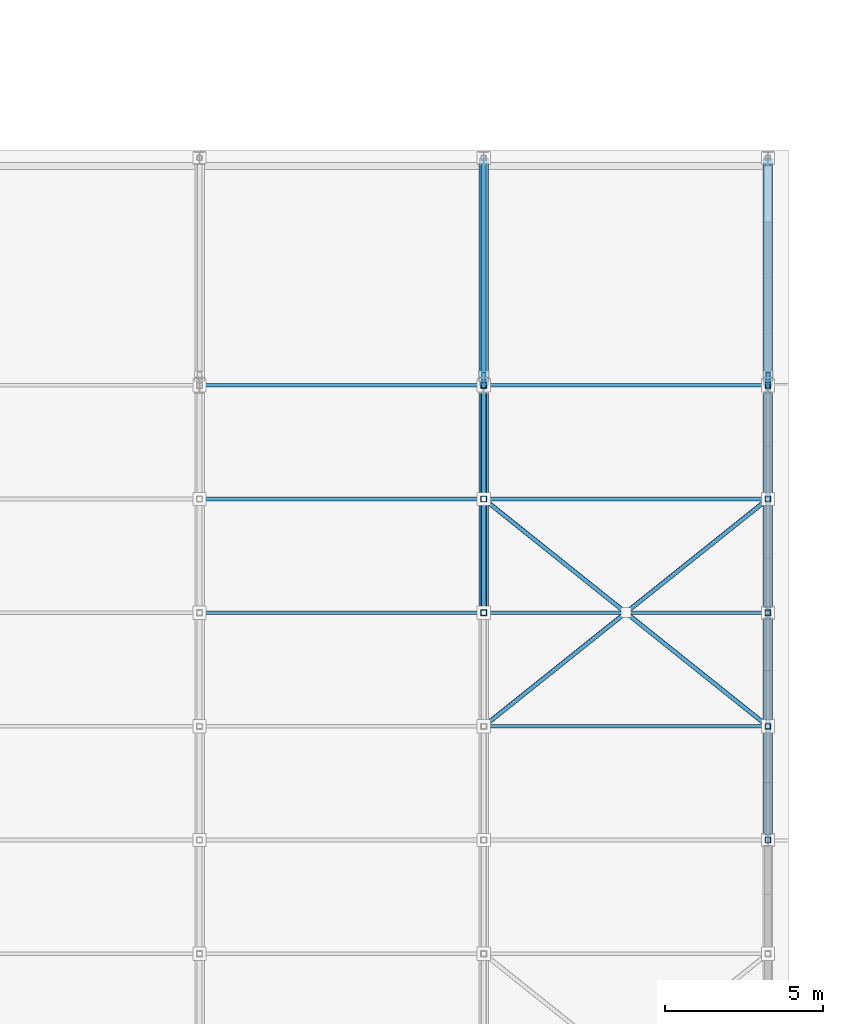
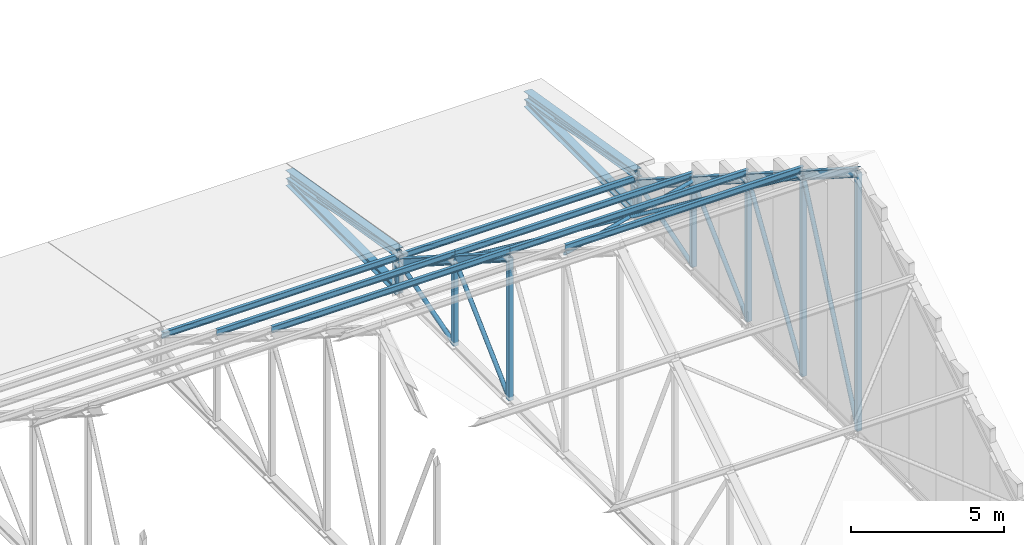
# One storey, part 119 of 182: 38 members.
"""IFC4 building model written with IfcOpenShell, lengths in metres."""

from ifc_helpers import new_model, si_unit, direction, frame, origin, origin_2d, place, context, subcontext, project, spatial, hollow_rectangle, hollow_circle, i_section, extrude, material, material_profile, profile_set, type_object, element, save


model = new_model("IFC4")

# Units and contexts
model_context = context("Model", 3, precision=1e-05, world=origin(), true_north=direction((0.0, 1.0)))
body_context = subcontext(model_context, "Body", "Model", "MODEL_VIEW")
ifc_project = project(units=[si_unit("LENGTHUNIT", "METRE"), si_unit("AREAUNIT", "SQUARE_METRE"), si_unit("VOLUMEUNIT", "CUBIC_METRE"), si_unit("PLANEANGLEUNIT", "RADIAN"), si_unit("MASSUNIT", "GRAM", prefix="KILO")], contexts=[model_context])

# Site, building, storey
site_placement = place(None, origin())
site = spatial("IfcSite", under=ifc_project, at=site_placement, CompositionType="ELEMENT")
building_placement = place(site_placement, origin())
building = spatial("IfcBuilding", under=site, at=building_placement, Name="Chiffa Square Polytechnic", CompositionType="ELEMENT")
storey_placement = place(building_placement, frame((0.0, 0.0, 9.60009765625)))
storey = spatial("IfcBuildingStorey", under=building, at=storey_placement, Name="L02", CompositionType="ELEMENT", Elevation=9.60009765625)

# Members
ifc_material = material(Name="Steel S355", Category="steel")
ifc_material_profile_1 = material_profile(ifc_material, hollow_circle(Radius=0.06982421875, WallThickness=0.008056640625, at=origin_2d()), Name="CHS 139.7x8")
ifc_profile_set_1 = profile_set([ifc_material_profile_1], Name="Steel S355")
member_type_1 = type_object("IfcMemberType", Name="MEM-BRC-CHS140", PredefinedType="BRACE", material=ifc_profile_set_1)
member_1_placement = place(storey_placement, frame((166.199951171875, 76.199951171875, 8.349853515625), z_axis=(0.725245496543, 0.580192462526, -0.370669227441), x_axis=(-0.624692464322, 0.780870876022, 0.0)))
element("IfcMember", 1, at=member_1_placement, inside=storey, type_object=member_type_1, Name="Workshop continuous roof X-brace BR-V2-RF-07N1", PredefinedType="BRACE", context=body_context, shape_type="SweptSolid", body=[
    extrude(hollow_circle(Radius=0.06982421875, WallThickness=0.008056640625, at=origin_2d()), origin(), (0.0, 0.0, 1.0), 12.40966796875),
])
member_2_placement = place(storey_placement, frame((166.199951171875, 83.39990234375, 3.75), z_axis=(0.725259063679, -0.58018364225, 0.370656487623), x_axis=(0.624679547852, 0.780881208953, 0.0)))
element("IfcMember", 2, at=member_2_placement, inside=storey, type_object=member_type_1, Name="Workshop split roof X-brace segment BR-V2-RF-07N2A", PredefinedType="BRACE", context=body_context, shape_type="SweptSolid", body=[
    extrude(hollow_circle(Radius=0.06982421875, WallThickness=0.008056640625, at=origin_2d()), origin(), (0.0, 0.0, 1.0), 6.20458984375),
])
member_3_placement = place(storey_placement, frame((170.699951171875, 79.800048828125, 6.0498046875), z_axis=(0.725231929607, -0.580201282226, 0.370681966625), x_axis=(0.624705380279, 0.780860543151, 0.0)))
element("IfcMember", 3, at=member_3_placement, inside=storey, type_object=member_type_1, Name="Workshop split roof X-brace segment BR-V2-RF-07N2B", PredefinedType="BRACE", context=body_context, shape_type="SweptSolid", body=[
    extrude(hollow_circle(Radius=0.06982421875, WallThickness=0.008056640625, at=origin_2d()), origin(), (0.0, 0.0, 1.0), 6.204833984375),
])
ifc_material_profile_2 = material_profile(ifc_material, i_section(OverallWidth=0.300048828125, OverallDepth=0.31005859375, WebThickness=0.009033203125, FlangeThickness=0.015380859375, FilletRadius=0.027099609375, at=origin_2d()), Name="HEA 320")
ifc_profile_set_2 = profile_set([ifc_material_profile_2], Name="Steel S355")
member_type_2 = type_object("IfcMemberType", Name="MEM-CHORD-HEA320", PredefinedType="CHORD", material=ifc_profile_set_2)
member_4_placement = place(storey_placement, frame((166.199951171875, 79.800048828125, 6.0498046875), z_axis=(0.0, 0.84270706373, -0.538372366248), x_axis=(-1.0, 0.0, 0.0)))
element("IfcMember", 4, at=member_4_placement, inside=storey, type_object=member_type_2, Name="Workshop roof truss top chord TCT-V2-07-07", PredefinedType="CHORD", context=body_context, shape_type="SweptSolid", body=[
    extrude(i_section(OverallWidth=0.300048828125, OverallDepth=0.31005859375, WebThickness=0.009033203125, FlangeThickness=0.015380859375, FilletRadius=0.027099609375, at=origin_2d()), origin(), (0.0, 0.0, 1.0), 4.271728515625),
])
member_5_placement = place(storey_placement, frame((166.199951171875, 83.39990234375, 3.75), z_axis=(0.0, 0.84269770024, -0.538387022512), x_axis=(-1.0, 0.0, 0.0)))
element("IfcMember", 5, at=member_5_placement, inside=storey, type_object=member_type_2, Name="Workshop roof truss top chord TCT-V2-07-08", PredefinedType="CHORD", context=body_context, shape_type="SweptSolid", body=[
    extrude(i_section(OverallWidth=0.300048828125, OverallDepth=0.31005859375, WebThickness=0.009033203125, FlangeThickness=0.015380859375, FilletRadius=0.027099609375, at=origin_2d()), origin(), (0.0, 0.0, 1.0), 4.272216796875),
])
member_6_placement = place(storey_placement, frame((166.199951171875, 87.0, 1.849853515625), z_axis=(0.0, 0.986394827799, -0.164393563414), x_axis=(-1.0, 0.0, 0.0)))
element("IfcMember", 6, at=member_6_placement, inside=storey, type_object=member_type_2, Name="Workshop north shed top chord TCT-V2-SH-07", PredefinedType="CHORD", context=body_context, shape_type="SweptSolid", body=[
    extrude(i_section(OverallWidth=0.300048828125, OverallDepth=0.31005859375, WebThickness=0.009033203125, FlangeThickness=0.015380859375, FilletRadius=0.027099609375, at=origin_2d()), origin(), (0.0, 0.0, 1.0), 7.29931640625),
])
member_7_placement = place(storey_placement, frame((175.199951171875, 72.60009765625, 10.64990234375), z_axis=(0.0, 0.842681134223, -0.538412951205), x_axis=(-1.0, 0.0, 0.0)))
element("IfcMember", 7, at=member_7_placement, inside=storey, type_object=member_type_2, Name="Workshop roof truss top chord TCT-V2-08-05", PredefinedType="CHORD", context=body_context, shape_type="SweptSolid", body=[
    extrude(i_section(OverallWidth=0.300048828125, OverallDepth=0.31005859375, WebThickness=0.009033203125, FlangeThickness=0.015380859375, FilletRadius=0.027099609375, at=origin_2d()), origin(), (0.0, 0.0, 1.0), 4.27197265625),
])
member_8_placement = place(storey_placement, frame((175.199951171875, 76.199951171875, 8.349853515625), z_axis=(0.0, 0.84269770024, -0.538387022512), x_axis=(-1.0, 0.0, 0.0)))
element("IfcMember", 8, at=member_8_placement, inside=storey, type_object=member_type_2, Name="Workshop roof truss top chord TCT-V2-08-06", PredefinedType="CHORD", context=body_context, shape_type="SweptSolid", body=[
    extrude(i_section(OverallWidth=0.300048828125, OverallDepth=0.31005859375, WebThickness=0.009033203125, FlangeThickness=0.015380859375, FilletRadius=0.027099609375, at=origin_2d()), origin(), (0.0, 0.0, 1.0), 4.272216796875),
])
member_9_placement = place(storey_placement, frame((175.199951171875, 79.800048828125, 6.0498046875), z_axis=(0.0, 0.84270706373, -0.538372366248), x_axis=(-1.0, 0.0, 0.0)))
element("IfcMember", 9, at=member_9_placement, inside=storey, type_object=member_type_2, Name="Workshop roof truss top chord TCT-V2-08-07", PredefinedType="CHORD", context=body_context, shape_type="SweptSolid", body=[
    extrude(i_section(OverallWidth=0.300048828125, OverallDepth=0.31005859375, WebThickness=0.009033203125, FlangeThickness=0.015380859375, FilletRadius=0.027099609375, at=origin_2d()), origin(), (0.0, 0.0, 1.0), 4.271728515625),
])
member_10_placement = place(storey_placement, frame((175.199951171875, 83.39990234375, 3.75), z_axis=(0.0, 0.84269770024, -0.538387022512), x_axis=(-1.0, 0.0, 0.0)))
element("IfcMember", 10, at=member_10_placement, inside=storey, type_object=member_type_2, Name="Workshop roof truss top chord TCT-V2-08-08", PredefinedType="CHORD", context=body_context, shape_type="SweptSolid", body=[
    extrude(i_section(OverallWidth=0.300048828125, OverallDepth=0.31005859375, WebThickness=0.009033203125, FlangeThickness=0.015380859375, FilletRadius=0.027099609375, at=origin_2d()), origin(), (0.0, 0.0, 1.0), 4.272216796875),
])
member_11_placement = place(storey_placement, frame((175.199951171875, 87.0, 1.849853515625), z_axis=(0.0, 0.986394827799, -0.164393563414), x_axis=(-1.0, 0.0, 0.0)))
element("IfcMember", 11, at=member_11_placement, inside=storey, type_object=member_type_2, Name="Workshop north shed top chord TCT-V2-SH-08", PredefinedType="CHORD", context=body_context, shape_type="SweptSolid", body=[
    extrude(i_section(OverallWidth=0.300048828125, OverallDepth=0.31005859375, WebThickness=0.009033203125, FlangeThickness=0.015380859375, FilletRadius=0.027099609375, at=origin_2d()), origin(), (0.0, 0.0, 1.0), 7.29931640625),
])
ifc_material_profile_3 = material_profile(ifc_material, i_section(OverallWidth=0.300048828125, OverallDepth=0.300048828125, WebThickness=0.010986328125, FlangeThickness=0.01904296875, FilletRadius=0.027099609375, at=origin_2d()), Name="HEB 300")
ifc_profile_set_3 = profile_set([ifc_material_profile_3], Name="Steel S355")
member_type_3 = type_object("IfcMemberType", Name="MEM-CHORD-HEB300", PredefinedType="CHORD", material=ifc_profile_set_3)
for number, where, z_axis, x_axis, name in (
    (12, (166.199951171875, 87.0, 0.349853515625), (0.0, 1.0, 0.0), (-1.0, 0.0, 0.0), "Workshop north shed bottom chord TCB-V2-SH-07"),
    (13, (175.199951171875, 87.0, 0.349853515625), (0.0, 1.0, 0.0), (-1.0, 0.0, 0.0), "Workshop north shed bottom chord TCB-V2-SH-08"),
):
    element("IfcMember", number, at=place(storey_placement, frame(where, z_axis=z_axis, x_axis=x_axis)), inside=storey, type_object=member_type_3, Name=name, PredefinedType="CHORD", context=body_context, shape_type="SweptSolid", body=[
        extrude(i_section(OverallWidth=0.300048828125, OverallDepth=0.300048828125, WebThickness=0.010986328125, FlangeThickness=0.01904296875, FilletRadius=0.027099609375, at=origin_2d()), origin(), (0.0, 0.0, 1.0), 7.199951171875),
    ])
ifc_material_profile_4 = material_profile(ifc_material, i_section(OverallWidth=0.1201171875, OverallDepth=0.239990234375, WebThickness=0.006103515625, FlangeThickness=0.009765625, FilletRadius=0.014892578125, at=origin_2d()), Name="IPE 240")
ifc_profile_set_4 = profile_set([ifc_material_profile_4], Name="Steel S355")
member_type_4 = type_object("IfcMemberType", Name="MEM-PUR-IPE240", PredefinedType="PURLIN", material=ifc_profile_set_4)
for number, where, z_axis, x_axis, name in (
    (14, (157.199951171875, 79.800048828125, 6.2998046875), (1.0, 0.0, 0.0), (0.0, 1.0, 0.0), "Workshop steel roof purlin PU-V2-06-07"),
    (15, (157.199951171875, 83.39990234375, 4.0), (1.0, 0.0, 0.0), (0.0, 1.0, 0.0), "Workshop steel roof purlin PU-V2-06-08"),
    (16, (157.199951171875, 87.0, 1.699951171875), (1.0, 0.0, 0.0), (0.0, 1.0, 0.0), "Workshop steel roof purlin PU-V2-06-09"),
    (17, (166.199951171875, 76.199951171875, 8.599853515625), (1.0, 0.0, 0.0), (0.0, 1.0, 0.0), "Workshop steel roof purlin PU-V2-07-06"),
    (18, (166.199951171875, 79.800048828125, 6.2998046875), (1.0, 0.0, 0.0), (0.0, 1.0, 0.0), "Workshop steel roof purlin PU-V2-07-07"),
    (19, (166.199951171875, 83.39990234375, 4.0), (1.0, 0.0, 0.0), (0.0, 1.0, 0.0), "Workshop steel roof purlin PU-V2-07-08"),
    (20, (166.199951171875, 87.0, 1.699951171875), (1.0, 0.0, 0.0), (0.0, 1.0, 0.0), "Workshop steel roof purlin PU-V2-07-09"),
):
    element("IfcMember", number, at=place(storey_placement, frame(where, z_axis=z_axis, x_axis=x_axis)), inside=storey, type_object=member_type_4, Name=name, PredefinedType="PURLIN", context=body_context, shape_type="SweptSolid", body=[
        extrude(i_section(OverallWidth=0.1201171875, OverallDepth=0.239990234375, WebThickness=0.006103515625, FlangeThickness=0.009765625, FilletRadius=0.014892578125, at=origin_2d()), origin(), (0.0, 0.0, 1.0), 9.0),
    ])
ifc_material_profile_5 = material_profile(ifc_material, hollow_rectangle(XDim=0.14990234375, YDim=0.25, WallThickness=0.010009765625, at=origin_2d()), Name="RHS 250x150x10")
ifc_profile_set_5 = profile_set([ifc_material_profile_5], Name="Steel S355")
member_type_5 = type_object("IfcMemberType", Name="MEM-STRUT-RHS250", PredefinedType="STRUT", material=ifc_profile_set_5)
for number, where, z_axis, x_axis, name in (
    (21, (166.199951171875, 87.0, 0.349853515625), (0.0, 0.263135522356, 0.964758880174), (-1.0, 0.0, 0.0), "Eave outrigger strut OS-V2-N-07"),
    (22, (175.199951171875, 87.0, 0.349853515625), (0.0, 0.263135522356, 0.964758880174), (-1.0, 0.0, 0.0), "Eave outrigger strut OS-V2-N-08"),
):
    element("IfcMember", number, at=place(storey_placement, frame(where, z_axis=z_axis, x_axis=x_axis)), inside=storey, type_object=member_type_5, Name=name, PredefinedType="STRUT", context=body_context, shape_type="SweptSolid", body=[
        extrude(hollow_rectangle(XDim=0.14990234375, YDim=0.25, WallThickness=0.010009765625, at=origin_2d()), origin(), (0.0, 0.0, 1.0), 1.140380859375),
    ])
ifc_material_profile_6 = material_profile(ifc_material, hollow_circle(Radius=0.084228515625, WallThickness=0.010009765625, at=origin_2d()), Name="CHS 168.3x10")
ifc_profile_set_6 = profile_set([ifc_material_profile_6], Name="Steel S355")
member_type_6 = type_object("IfcMemberType", Name="MEM-WEB-CHS168", PredefinedType="MEMBER", material=ifc_profile_set_6)
member_12_placement = place(storey_placement, frame((166.199951171875, 79.800048828125, 0.349853515625), z_axis=(0.0, 0.726984438285, 0.686653935029), x_axis=(-1.0, 0.0, 0.0)))
element("IfcMember", 23, at=member_12_placement, inside=storey, type_object=member_type_6, Name="Workshop roof truss diagonal TWD-V2-07-07", PredefinedType="MEMBER", context=body_context, shape_type="SweptSolid", body=[
    extrude(hollow_circle(Radius=0.084228515625, WallThickness=0.010009765625, at=origin_2d()), origin(), (0.0, 0.0, 1.0), 4.95166015625),
])
member_13_placement = place(storey_placement, frame((166.199951171875, 83.39990234375, 0.349853515625), z_axis=(0.0, 0.956346536322, 0.292235012388), x_axis=(-1.0, 0.0, 0.0)))
element("IfcMember", 24, at=member_13_placement, inside=storey, type_object=member_type_6, Name="Workshop roof truss diagonal TWD-V2-07-08", PredefinedType="MEMBER", context=body_context, shape_type="SweptSolid", body=[
    extrude(hollow_circle(Radius=0.084228515625, WallThickness=0.010009765625, at=origin_2d()), origin(), (0.0, 0.0, 1.0), 3.764404296875),
])
member_14_placement = place(storey_placement, frame((175.199951171875, 72.60009765625, 0.349853515625), z_axis=(0.0, 0.410350791297, 0.911927753762), x_axis=(-1.0, 0.0, 0.0)))
element("IfcMember", 25, at=member_14_placement, inside=storey, type_object=member_type_6, Name="Workshop roof truss diagonal TWD-V2-08-05", PredefinedType="MEMBER", context=body_context, shape_type="SweptSolid", body=[
    extrude(hollow_circle(Radius=0.084228515625, WallThickness=0.010009765625, at=origin_2d()), origin(), (0.0, 0.0, 1.0), 8.772705078125),
])
member_15_placement = place(storey_placement, frame((175.199951171875, 76.199951171875, 0.349853515625), z_axis=(0.0, 0.53400661626, 0.845480297695), x_axis=(-1.0, 0.0, 0.0)))
element("IfcMember", 26, at=member_15_placement, inside=storey, type_object=member_type_6, Name="Workshop roof truss diagonal TWD-V2-08-06", PredefinedType="MEMBER", context=body_context, shape_type="SweptSolid", body=[
    extrude(hollow_circle(Radius=0.084228515625, WallThickness=0.010009765625, at=origin_2d()), origin(), (0.0, 0.0, 1.0), 6.74169921875),
])
member_16_placement = place(storey_placement, frame((175.199951171875, 79.800048828125, 0.349853515625), z_axis=(0.0, 0.726984438285, 0.686653935029), x_axis=(-1.0, 0.0, 0.0)))
element("IfcMember", 27, at=member_16_placement, inside=storey, type_object=member_type_6, Name="Workshop roof truss diagonal TWD-V2-08-07", PredefinedType="MEMBER", context=body_context, shape_type="SweptSolid", body=[
    extrude(hollow_circle(Radius=0.084228515625, WallThickness=0.010009765625, at=origin_2d()), origin(), (0.0, 0.0, 1.0), 4.95166015625),
])
member_17_placement = place(storey_placement, frame((175.199951171875, 83.39990234375, 0.349853515625), z_axis=(0.0, 0.956346536322, 0.292235012388), x_axis=(-1.0, 0.0, 0.0)))
element("IfcMember", 28, at=member_17_placement, inside=storey, type_object=member_type_6, Name="Workshop roof truss diagonal TWD-V2-08-08", PredefinedType="MEMBER", context=body_context, shape_type="SweptSolid", body=[
    extrude(hollow_circle(Radius=0.084228515625, WallThickness=0.010009765625, at=origin_2d()), origin(), (0.0, 0.0, 1.0), 3.764404296875),
])
ifc_material_profile_7 = material_profile(ifc_material, hollow_rectangle(XDim=0.159912109375, YDim=0.159912109375, WallThickness=0.008056640625, InnerFilletRadius=0.008056640625, OuterFilletRadius=0.01611328125, at=origin_2d()), Name="RHS 160x160x8")
ifc_profile_set_7 = profile_set([ifc_material_profile_7], Name="Steel S355")
member_type_7 = type_object("IfcMemberType", Name="MEM-WEB-RHS160", PredefinedType="MEMBER", material=ifc_profile_set_7)
for number, where, z_axis, x_axis, name in (
    (29, (166.199951171875, 87.0, 1.849853515625), (0.0, 0.978980143565, -0.203955579738), (-1.0, 0.0, 0.0), "Workshop north shed diagonal TWD-V2-SH-07"),
    (30, (175.199951171875, 87.0, 1.849853515625), (0.0, 0.978980143565, -0.203955579738), (-1.0, 0.0, 0.0), "Workshop north shed diagonal TWD-V2-SH-08"),
):
    element("IfcMember", number, at=place(storey_placement, frame(where, z_axis=z_axis, x_axis=x_axis)), inside=storey, type_object=member_type_7, Name=name, PredefinedType="MEMBER", context=body_context, shape_type="SweptSolid", body=[
        extrude(hollow_rectangle(XDim=0.159912109375, YDim=0.159912109375, WallThickness=0.008056640625, InnerFilletRadius=0.008056640625, OuterFilletRadius=0.01611328125, at=origin_2d()), origin(), (0.0, 0.0, 1.0), 7.3544921875),
    ])
ifc_material_profile_8 = material_profile(ifc_material, hollow_rectangle(XDim=0.179931640625, YDim=0.179931640625, WallThickness=0.010009765625, at=origin_2d()), Name="RHS 180x180x10")
ifc_profile_set_8 = profile_set([ifc_material_profile_8], Name="Steel S355")
member_type_8 = type_object("IfcMemberType", Name="MEM-WEB-RHS180", PredefinedType="MEMBER", material=ifc_profile_set_8)
member_18_placement = place(storey_placement, frame((166.199951171875, 79.800048828125, 0.349853515625), z_axis=(0.0, 0.0, 1.0), x_axis=(1.0, 0.0, 0.0)))
element("IfcMember", 31, at=member_18_placement, inside=storey, type_object=member_type_8, Name="Workshop roof truss vertical TWV-V2-07-07", PredefinedType="MEMBER", context=body_context, shape_type="SweptSolid", body=[
    extrude(hollow_rectangle(XDim=0.179931640625, YDim=0.179931640625, WallThickness=0.010009765625, at=origin_2d()), origin(), (0.0, 0.0, 1.0), 5.699951171875),
])
member_19_placement = place(storey_placement, frame((166.199951171875, 83.39990234375, 0.349853515625), z_axis=(0.0, 0.0, 1.0), x_axis=(1.0, 0.0, 0.0)))
element("IfcMember", 32, at=member_19_placement, inside=storey, type_object=member_type_8, Name="Workshop roof truss vertical TWV-V2-07-08", PredefinedType="MEMBER", context=body_context, shape_type="SweptSolid", body=[
    extrude(hollow_rectangle(XDim=0.179931640625, YDim=0.179931640625, WallThickness=0.010009765625, at=origin_2d()), origin(), (0.0, 0.0, 1.0), 3.400146484375),
])
member_20_placement = place(storey_placement, frame((166.199951171875, 87.0, 0.349853515625), z_axis=(0.0, 0.0, 1.0), x_axis=(1.0, 0.0, 0.0)))
element("IfcMember", 33, at=member_20_placement, inside=storey, type_object=member_type_8, Name="Workshop roof truss vertical TWV-V2-07-09", PredefinedType="MEMBER", context=body_context, shape_type="SweptSolid", body=[
    extrude(hollow_rectangle(XDim=0.179931640625, YDim=0.179931640625, WallThickness=0.010009765625, at=origin_2d()), origin(), (0.0, 0.0, 1.0), 1.10009765625),
])
member_21_placement = place(storey_placement, frame((175.199951171875, 72.60009765625, 0.349853515625), z_axis=(0.0, 0.0, 1.0), x_axis=(1.0, 0.0, 0.0)))
element("IfcMember", 34, at=member_21_placement, inside=storey, type_object=member_type_8, Name="Workshop roof truss vertical TWV-V2-08-05", PredefinedType="MEMBER", context=body_context, shape_type="SweptSolid", body=[
    extrude(hollow_rectangle(XDim=0.179931640625, YDim=0.179931640625, WallThickness=0.010009765625, at=origin_2d()), origin(), (0.0, 0.0, 1.0), 10.300048828125),
])
member_22_placement = place(storey_placement, frame((175.199951171875, 76.199951171875, 0.349853515625), z_axis=(0.0, 0.0, 1.0), x_axis=(1.0, 0.0, 0.0)))
element("IfcMember", 35, at=member_22_placement, inside=storey, type_object=member_type_8, Name="Workshop roof truss vertical TWV-V2-08-06", PredefinedType="MEMBER", context=body_context, shape_type="SweptSolid", body=[
    extrude(hollow_rectangle(XDim=0.179931640625, YDim=0.179931640625, WallThickness=0.010009765625, at=origin_2d()), origin(), (0.0, 0.0, 1.0), 8.0),
])
member_23_placement = place(storey_placement, frame((175.199951171875, 79.800048828125, 0.349853515625), z_axis=(0.0, 0.0, 1.0), x_axis=(1.0, 0.0, 0.0)))
element("IfcMember", 36, at=member_23_placement, inside=storey, type_object=member_type_8, Name="Workshop roof truss vertical TWV-V2-08-07", PredefinedType="MEMBER", context=body_context, shape_type="SweptSolid", body=[
    extrude(hollow_rectangle(XDim=0.179931640625, YDim=0.179931640625, WallThickness=0.010009765625, at=origin_2d()), origin(), (0.0, 0.0, 1.0), 5.699951171875),
])
member_24_placement = place(storey_placement, frame((175.199951171875, 83.39990234375, 0.349853515625), z_axis=(0.0, 0.0, 1.0), x_axis=(1.0, 0.0, 0.0)))
element("IfcMember", 37, at=member_24_placement, inside=storey, type_object=member_type_8, Name="Workshop roof truss vertical TWV-V2-08-08", PredefinedType="MEMBER", context=body_context, shape_type="SweptSolid", body=[
    extrude(hollow_rectangle(XDim=0.179931640625, YDim=0.179931640625, WallThickness=0.010009765625, at=origin_2d()), origin(), (0.0, 0.0, 1.0), 3.400146484375),
])
member_25_placement = place(storey_placement, frame((175.199951171875, 87.0, 0.349853515625), z_axis=(0.0, 0.0, 1.0), x_axis=(1.0, 0.0, 0.0)))
element("IfcMember", 38, at=member_25_placement, inside=storey, type_object=member_type_8, Name="Workshop roof truss vertical TWV-V2-08-09", PredefinedType="MEMBER", context=body_context, shape_type="SweptSolid", body=[
    extrude(hollow_rectangle(XDim=0.179931640625, YDim=0.179931640625, WallThickness=0.010009765625, at=origin_2d()), origin(), (0.0, 0.0, 1.0), 1.10009765625),
])

save(model, "model.ifc")
